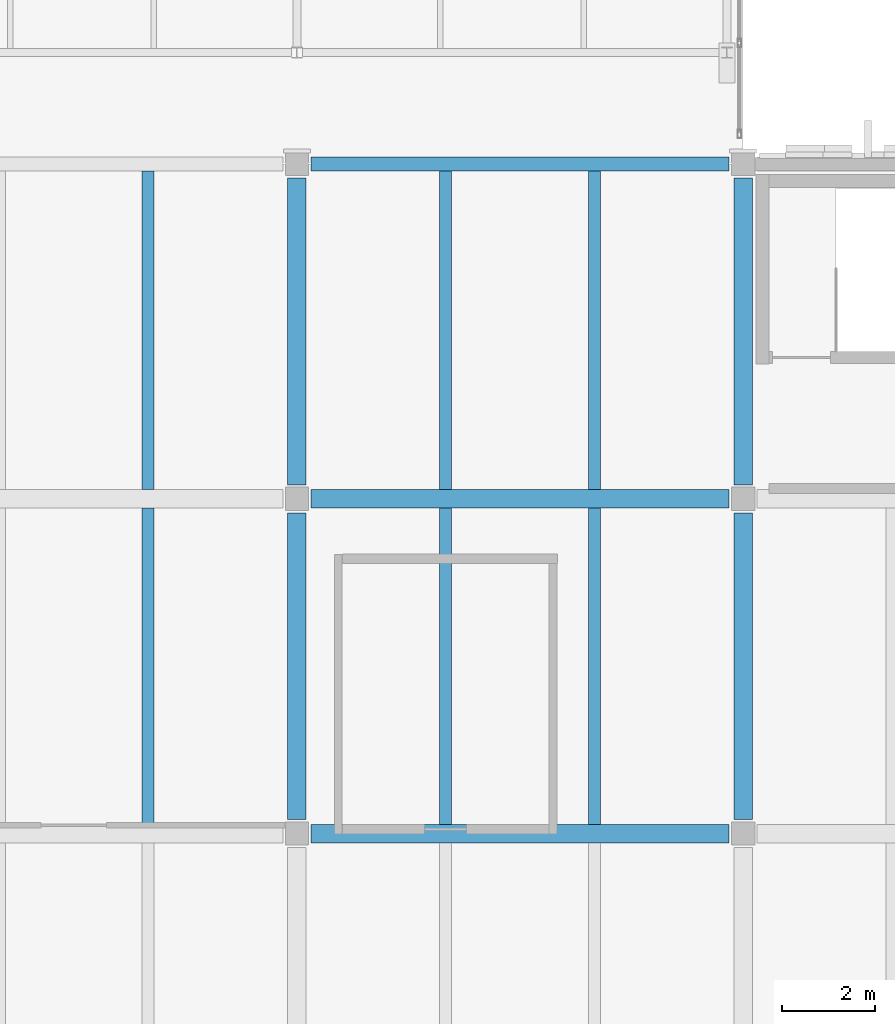
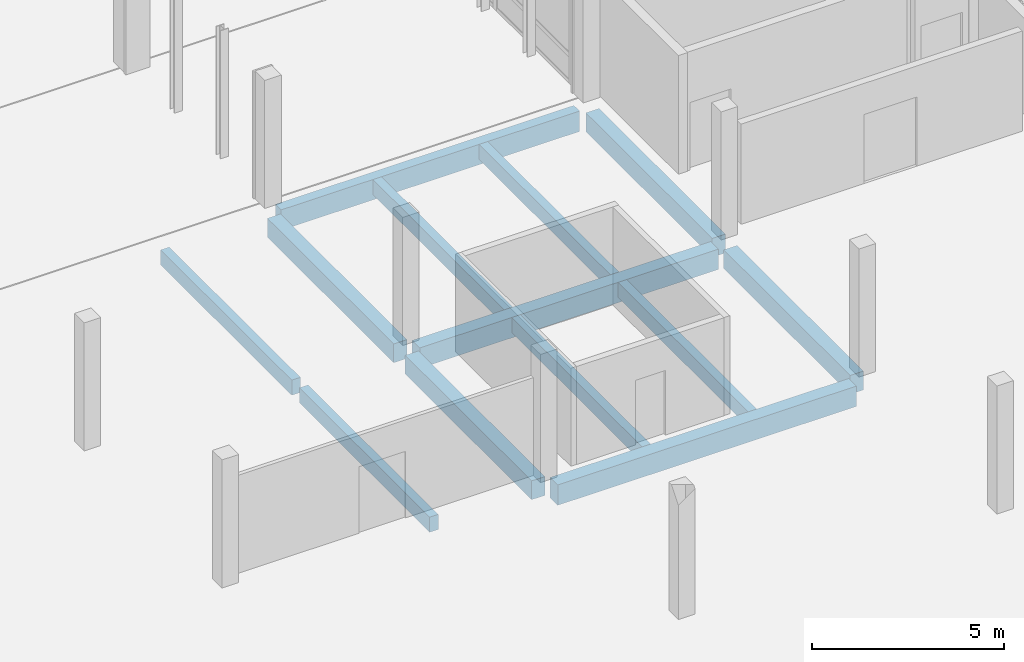
# One storey, part 6 of 72: 13 beams.
"""IFC4 building model written with IfcOpenShell, lengths in metres."""

from ifc_helpers import new_model, si_unit, direction, frame, origin, origin_2d, place, context, subcontext, project, spatial, rectangle, extrude, material, material_profile, profile_set, type_object, element, save


model = new_model("IFC4")

# Units and contexts
model_context = context("Model", 3, precision=1e-05, world=origin(), true_north=direction((0.0, 1.0)))
body_context = subcontext(model_context, "Body", "Model", "MODEL_VIEW")
ifc_project = project(units=[si_unit("LENGTHUNIT", "METRE"), si_unit("AREAUNIT", "SQUARE_METRE"), si_unit("VOLUMEUNIT", "CUBIC_METRE"), si_unit("PLANEANGLEUNIT", "RADIAN"), si_unit("MASSUNIT", "GRAM", prefix="KILO")], contexts=[model_context])

# Site, building, storey
site_placement = place(None, origin())
site = spatial("IfcSite", under=ifc_project, at=site_placement, CompositionType="ELEMENT")
building_placement = place(site_placement, origin())
building = spatial("IfcBuilding", under=site, at=building_placement, Name="Asteropetra Specialist Clinic", CompositionType="ELEMENT")
storey_placement = place(building_placement, frame((0.0, 0.0, 12.580078125)))
storey = spatial("IfcBuildingStorey", under=building, at=storey_placement, Name="L03", CompositionType="ELEMENT", Elevation=12.580078125)

# Beams
ifc_material_1 = material(Name="Concrete C35/45", Category="concrete")
ifc_material_profile_1 = material_profile(ifc_material_1, rectangle(XDim=0.39990234375, YDim=0.60009765625, at=origin_2d()), Name="RCB 400x600")
ifc_profile_set_1 = profile_set([ifc_material_profile_1], Name="Concrete C35/45")
beam_type_1 = type_object("IfcBeamType", Name="BM-RC400x600", PredefinedType="BEAM", material=ifc_profile_set_1)
for number, where, z_axis, x_axis, name in (
    (1, (19.199951171875, 48.300048828125, -0.60009765625), (0.0, 1.0, 0.0), (-1.0, 0.0, 0.0), "Beam BBM08-1416"),
    (2, (28.800048828125, 48.300048828125, -0.60009765625), (0.0, 1.0, 0.0), (-1.0, 0.0, 0.0), "Beam BBM08-1417"),
):
    element("IfcBeam", number, at=place(storey_placement, frame(where, z_axis=z_axis, x_axis=x_axis)), inside=storey, type_object=beam_type_1, Name=name, PredefinedType="BEAM", context=body_context, shape_type="SweptSolid", body=[
        extrude(rectangle(XDim=0.39990234375, YDim=0.60009765625, at=origin_2d()), origin(), (0.0, 0.0, 1.0), 6.599853515625),
    ])
for number, where, z_axis, x_axis, name in (
    (3, (19.199951171875, 55.5, -0.60009765625), (0.0, 1.0, 0.0), (-1.0, 0.0, 0.0), "Beam BBM08-1429"),
    (4, (28.800048828125, 55.5, -0.60009765625), (0.0, 1.0, 0.0), (-1.0, 0.0, 0.0), "Beam BBM08-1430"),
):
    element("IfcBeam", number, at=place(storey_placement, frame(where, z_axis=z_axis, x_axis=x_axis)), inside=storey, type_object=beam_type_1, Name=name, PredefinedType="BEAM", context=body_context, shape_type="SweptSolid", body=[
        extrude(rectangle(XDim=0.39990234375, YDim=0.60009765625, at=origin_2d()), origin(), (0.0, 0.0, 1.0), 6.60009765625),
    ])
ifc_material_2 = material(Name="Concrete C35/45", Category="concrete")
ifc_material_profile_2 = material_profile(ifc_material_2, rectangle(XDim=0.39990234375, YDim=0.64990234375, at=origin_2d()), Name="RCB 400x650")
ifc_profile_set_2 = profile_set([ifc_material_profile_2], Name="Concrete C35/45")
beam_type_2 = type_object("IfcBeamType", Name="BM-RC400x650", PredefinedType="BEAM", material=ifc_profile_set_2)
for number, where, z_axis, x_axis, name in (
    (5, (19.5, 48.0, -0.625), (1.0, 0.0, 0.0), (0.0, 1.0, 0.0), "Beam BBM07-1380"),
    (6, (19.5, 55.199951171875, -0.625), (1.0, 0.0, 0.0), (0.0, 1.0, 0.0), "Beam BBM07-1384"),
):
    element("IfcBeam", number, at=place(storey_placement, frame(where, z_axis=z_axis, x_axis=x_axis)), inside=storey, type_object=beam_type_2, Name=name, PredefinedType="BEAM", context=body_context, shape_type="SweptSolid", body=[
        extrude(rectangle(XDim=0.39990234375, YDim=0.64990234375, at=origin_2d()), origin(), (0.0, 0.0, 1.0), 9.0),
    ])
ifc_material_3 = material(Name="Concrete C35/45", Category="concrete")
ifc_material_profile_3 = material_profile(ifc_material_3, rectangle(XDim=0.260009765625, YDim=0.47998046875, at=origin_2d()), Name="RCJ 260x480")
ifc_profile_set_3 = profile_set([ifc_material_profile_3], Name="Concrete C35/45")
beam_type_3 = type_object("IfcBeamType", Name="JST-RC260x480", PredefinedType="JOIST", material=ifc_profile_set_3)
for number, where, z_axis, x_axis, name in (
    (7, (16.0, 48.199951171875, -0.5400390625), (0.0, 1.0, 0.0), (-1.0, 0.0, 0.0), "Joist JJST02-1422"),
    (8, (22.39990234375, 48.199951171875, -0.5400390625), (0.0, 1.0, 0.0), (-1.0, 0.0, 0.0), "Joist JJST02-1423"),
    (9, (25.60009765625, 48.199951171875, -0.5400390625), (0.0, 1.0, 0.0), (-1.0, 0.0, 0.0), "Joist JJST02-1424"),
):
    element("IfcBeam", number, at=place(storey_placement, frame(where, z_axis=z_axis, x_axis=x_axis)), inside=storey, type_object=beam_type_3, Name=name, PredefinedType="JOIST", context=body_context, shape_type="SweptSolid", body=[
        extrude(rectangle(XDim=0.260009765625, YDim=0.47998046875, at=origin_2d()), origin(), (0.0, 0.0, 1.0), 6.800048828125),
    ])
for number, where, z_axis, x_axis, name in (
    (10, (16.0, 55.39990234375, -0.5400390625), (0.0, 1.0, 0.0), (-1.0, 0.0, 0.0), "Joist JJST02-1435"),
    (11, (22.39990234375, 55.39990234375, -0.5400390625), (0.0, 1.0, 0.0), (-1.0, 0.0, 0.0), "Joist JJST02-1436"),
    (12, (25.60009765625, 55.39990234375, -0.5400390625), (0.0, 1.0, 0.0), (-1.0, 0.0, 0.0), "Joist JJST02-1437"),
):
    element("IfcBeam", number, at=place(storey_placement, frame(where, z_axis=z_axis, x_axis=x_axis)), inside=storey, type_object=beam_type_3, Name=name, PredefinedType="JOIST", context=body_context, shape_type="SweptSolid", body=[
        extrude(rectangle(XDim=0.260009765625, YDim=0.47998046875, at=origin_2d()), origin(), (0.0, 0.0, 1.0), 6.85009765625),
    ])
ifc_material_4 = material(Name="Concrete C35/45", Category="concrete")
ifc_material_profile_4 = material_profile(ifc_material_4, rectangle(XDim=0.300048828125, YDim=0.64990234375, at=origin_2d()), Name="RCS 300x650")
ifc_profile_set_4 = profile_set([ifc_material_profile_4], Name="Concrete C35/45")
beam_type_4 = type_object("IfcBeamType", Name="SPN-RC300x650", PredefinedType="SPANDREL", material=ifc_profile_set_4)
beam_placement = place(storey_placement, frame((19.5, 62.39990234375, -0.625), z_axis=(1.0, 0.0, 0.0), x_axis=(0.0, 1.0, 0.0)))
element("IfcBeam", 13, at=beam_placement, inside=storey, type_object=beam_type_4, Name="Beam BSPN03-1388", PredefinedType="SPANDREL", context=body_context, shape_type="SweptSolid", body=[
    extrude(rectangle(XDim=0.300048828125, YDim=0.64990234375, at=origin_2d()), origin(), (0.0, 0.0, 1.0), 9.0),
])

save(model, "model.ifc")
